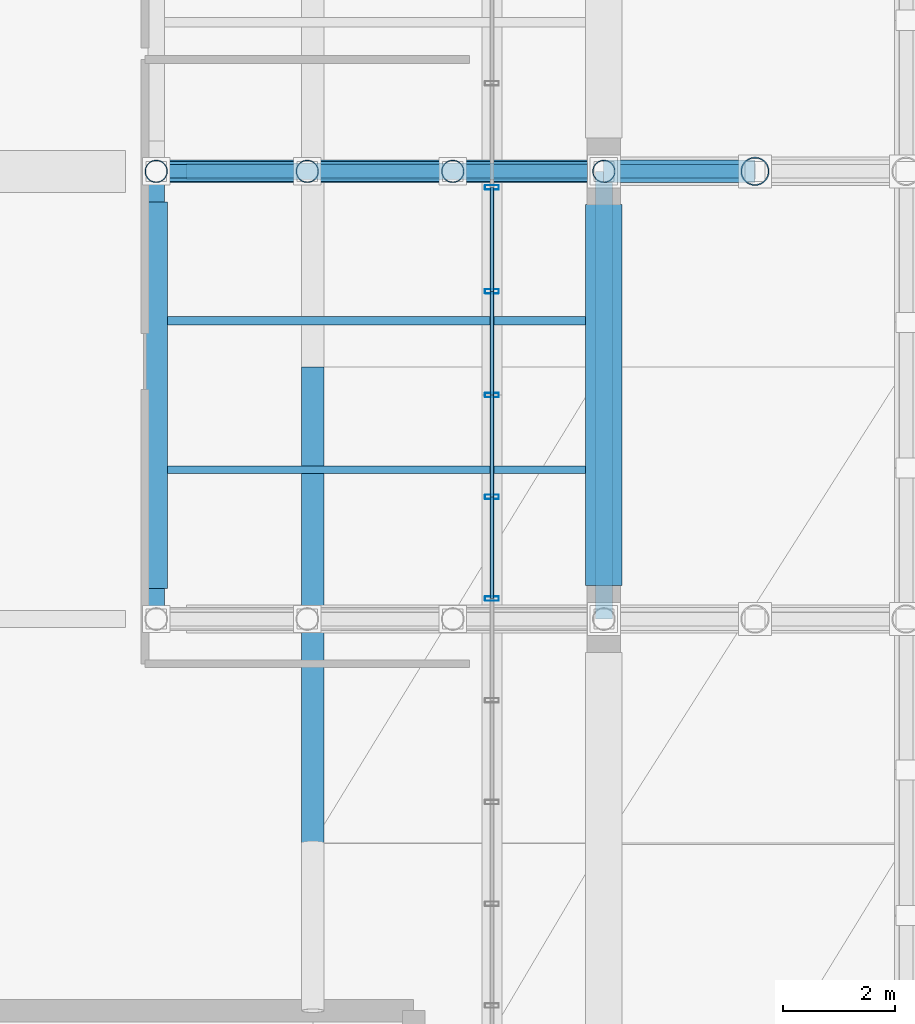
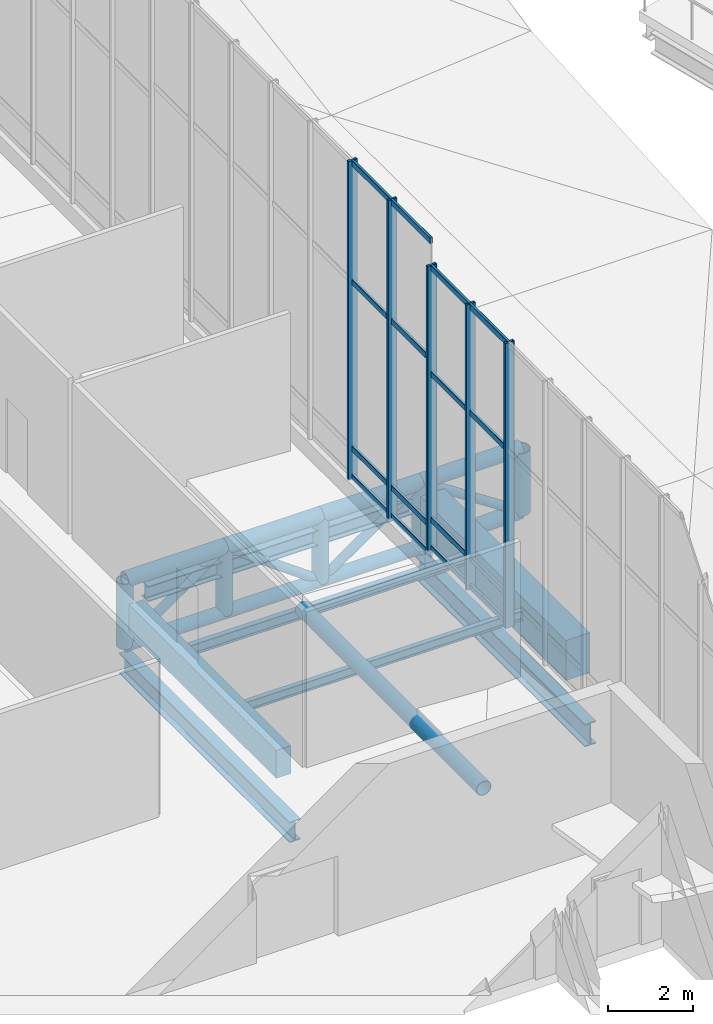
# One storey, part 66 of 137: 39 members, 7 beams, 2 elements without a shape of their own.
"""IFC4 building model written with IfcOpenShell, lengths in metres."""

from ifc_helpers import new_model, si_unit, direction, frame, origin, origin_2d, place, context, subcontext, project, spatial, rectangle, hollow_rectangle, hollow_circle, i_section, extrude, material, layer, layer_set, material_profile, profile_set, type_object, element, aggregate, save


model = new_model("IFC4")

# Units and contexts
model_context = context("Model", 3, precision=1e-05, world=origin(), true_north=direction((0.0, 1.0)))
body_context = subcontext(model_context, "Body", "Model", "MODEL_VIEW")
ifc_project = project(units=[si_unit("LENGTHUNIT", "METRE"), si_unit("AREAUNIT", "SQUARE_METRE"), si_unit("VOLUMEUNIT", "CUBIC_METRE"), si_unit("PLANEANGLEUNIT", "RADIAN"), si_unit("MASSUNIT", "GRAM", prefix="KILO")], contexts=[model_context])

# Site, building, storey
site_placement = place(None, origin())
site = spatial("IfcSite", under=ifc_project, at=site_placement, CompositionType="ELEMENT")
building_placement = place(site_placement, origin())
building = spatial("IfcBuilding", under=site, at=building_placement, Name="Khorjan Park Terminus", CompositionType="ELEMENT")
storey_placement = place(building_placement, frame((0.0, 0.0, 11.4)))
storey = spatial("IfcBuildingStorey", under=building, at=storey_placement, Name="L02", CompositionType="ELEMENT", Elevation=11.4)

# Beams
ifc_material_1 = material(Name="Steel S355", Category="steel")
ifc_material_profile_1 = material_profile(ifc_material_1, i_section(OverallWidth=0.3, OverallDepth=0.44, WebThickness=0.0115, FlangeThickness=0.021, FilletRadius=0.027, at=origin_2d()), Name="HEA 450")
ifc_profile_set_1 = profile_set([ifc_material_profile_1], Name="Steel S355")
beam_type_1 = type_object("IfcBeamType", Name="BM-HEA450", PredefinedType="BEAM", material=ifc_profile_set_1)
beam_1_placement = place(storey_placement, frame((128.545, 52.0, -0.58), z_axis=(1.0, 0.0, 0.0), x_axis=(0.0, 1.0, 0.0)))
element("IfcBeam", 1, at=beam_1_placement, inside=storey, type_object=beam_type_1, Name="Primary floor girder SB-A45 (L02)", PredefinedType="BEAM", context=body_context, shape_type="SweptSolid", body=[
    extrude(i_section(OverallWidth=0.3, OverallDepth=0.44, WebThickness=0.0115, FlangeThickness=0.021, FilletRadius=0.027, at=origin_2d()), origin(), (0.0, 0.0, 1.0), 7.16),
])
ifc_material_profile_2 = material_profile(ifc_material_1, i_section(OverallWidth=0.3, OverallDepth=0.59, WebThickness=0.013, FlangeThickness=0.025, FilletRadius=0.027, at=origin_2d()), Name="HEA 600")
ifc_profile_set_2 = profile_set([ifc_material_profile_2], Name="Steel S355")
beam_type_2 = type_object("IfcBeamType", Name="BM-HEA600", PredefinedType="BEAM", material=ifc_profile_set_2)
beam_2_placement = place(storey_placement, frame((128.0, 44.0, -2.395), z_axis=(0.0, 1.0, 0.0), x_axis=(-1.0, 0.0, 0.0)))
element("IfcBeam", 2, at=beam_2_placement, inside=storey, type_object=beam_type_2, Name="Lower shell truss support girder SB-A60 (Y49)", PredefinedType="BEAM", context=body_context, shape_type="SweptSolid", body=[
    extrude(i_section(OverallWidth=0.3, OverallDepth=0.59, WebThickness=0.013, FlangeThickness=0.025, FilletRadius=0.027, at=origin_2d()), origin(), (0.0, 0.0, 1.0), 8.0),
])
ifc_material_2 = material(Name="Concrete C40/50", Category="concrete")
ifc_material_profile_3 = material_profile(ifc_material_2, rectangle(XDim=0.4, YDim=0.8, at=origin_2d()), Name="RC 400x800")
ifc_profile_set_3 = profile_set([ifc_material_profile_3], Name="Concrete C40/50")
beam_type_3 = type_object("IfcBeamType", Name="BM-RC400x800", PredefinedType="BEAM", material=ifc_profile_set_3)
beam_3_placement = place(storey_placement, frame((128.0, 44.545, -0.76), z_axis=(0.0, 1.0, 0.0), x_axis=(-1.0, 0.0, 0.0)))
element("IfcBeam", 3, at=beam_3_placement, inside=storey, type_object=beam_type_3, Name="Primary floor girder GB-08B (L02)", PredefinedType="BEAM", context=body_context, shape_type="SweptSolid", body=[
    extrude(rectangle(XDim=0.4, YDim=0.8, at=origin_2d()), origin(), (0.0, 0.0, 1.0), 6.91),
])
ifc_material_profile_4 = material_profile(ifc_material_1, i_section(OverallWidth=0.135, OverallDepth=0.27, WebThickness=0.0066, FlangeThickness=0.0102, FilletRadius=0.015, at=origin_2d()), Name="IPE 270")
ifc_profile_set_4 = profile_set([ifc_material_profile_4], Name="Steel S355")
beam_type_4 = type_object("IfcBeamType", Name="JS-IPE270", PredefinedType="JOIST", material=ifc_profile_set_4)
beam_4_placement = place(storey_placement, frame((128.2, 46.6667, -0.495), z_axis=(1.0, 0.0, 0.0), x_axis=(0.0, 1.0, 0.0)))
element("IfcBeam", 4, at=beam_4_placement, inside=storey, type_object=beam_type_4, Name="Secondary composite floor joist SJ-27 (L02)", PredefinedType="JOIST", context=body_context, shape_type="SweptSolid", body=[
    extrude(i_section(OverallWidth=0.135, OverallDepth=0.27, WebThickness=0.0066, FlangeThickness=0.0102, FilletRadius=0.015, at=origin_2d()), origin(), (0.0, 0.0, 1.0), 7.475),
])
ifc_material_profile_5 = material_profile(ifc_material_1, i_section(OverallWidth=0.15, OverallDepth=0.3, WebThickness=0.0071, FlangeThickness=0.0107, FilletRadius=0.015, at=origin_2d()), Name="IPE 300")
ifc_profile_set_5 = profile_set([ifc_material_profile_5], Name="Steel S355")
beam_type_5 = type_object("IfcBeamType", Name="JS-IPE300", PredefinedType="JOIST", material=ifc_profile_set_5)
beam_5_placement = place(storey_placement, frame((128.2, 49.3333, -0.51), z_axis=(1.0, 0.0, 0.0), x_axis=(0.0, 1.0, 0.0)))
element("IfcBeam", 5, at=beam_5_placement, inside=storey, type_object=beam_type_5, Name="Secondary composite floor joist SJ-30 (L02)", PredefinedType="JOIST", context=body_context, shape_type="SweptSolid", body=[
    extrude(i_section(OverallWidth=0.15, OverallDepth=0.3, WebThickness=0.0071, FlangeThickness=0.0107, FilletRadius=0.015, at=origin_2d()), origin(), (0.0, 0.0, 1.0), 7.475),
])

# Members
ifc_material_profile_6 = material_profile(ifc_material_1, hollow_circle(Radius=0.1222, WallThickness=0.0125, at=origin_2d()), Name="CHS 244.5x12.5")
ifc_profile_set_6 = profile_set([ifc_material_profile_6], Name="Steel S355")
member_type_1 = type_object("IfcMemberType", Name="MB-BR-245", PredefinedType="BRACE", material=ifc_profile_set_6)
member_1_placement = place(storey_placement, frame((128.0, 52.0, -1.92), z_axis=(0.822082565391, 0.0, 0.569368295289), x_axis=(0.0, 1.0, 0.0)))
element("IfcMember", 6, at=member_1_placement, inside=storey, type_object=member_type_1, Name="Lower shell W/E truss diagonal (E2)", PredefinedType="BRACE", context=body_context, shape_type="SweptSolid", body=[
    extrude(hollow_circle(Radius=0.1222, WallThickness=0.0125, at=origin_2d()), origin(), (0.0, 0.0, 1.0), 3.2843),
])
member_2_placement = place(storey_placement, frame((130.7, 52.0, -0.05), z_axis=(0.811830357573, 0.0, -0.583893372562), x_axis=(0.0, 1.0, 0.0)))
element("IfcMember", 7, at=member_2_placement, inside=storey, type_object=member_type_1, Name="Lower shell W/E truss diagonal (E2)", PredefinedType="BRACE", context=body_context, shape_type="SweptSolid", body=[
    extrude(hollow_circle(Radius=0.1222, WallThickness=0.0125, at=origin_2d()), origin(), (0.0, 0.0, 1.0), 3.2026),
])
member_3_placement = place(storey_placement, frame((133.3, 52.0, -1.92), z_axis=(0.822082565391, 0.0, 0.569368295289), x_axis=(0.0, 1.0, 0.0)))
element("IfcMember", 8, at=member_3_placement, inside=storey, type_object=member_type_1, Name="Lower shell W/E truss diagonal (E2)", PredefinedType="BRACE", context=body_context, shape_type="SweptSolid", body=[
    extrude(hollow_circle(Radius=0.1222, WallThickness=0.0125, at=origin_2d()), origin(), (0.0, 0.0, 1.0), 3.2843),
])
ifc_material_profile_7 = material_profile(ifc_material_1, hollow_circle(Radius=0.1222, WallThickness=0.0125, at=origin_2d()), Name="CHS 244.5x12.5")
ifc_profile_set_7 = profile_set([ifc_material_profile_7], Name="Steel S355")
member_type_2 = type_object("IfcMemberType", Name="MB-BRE-245", PredefinedType="BRACE", material=ifc_profile_set_7)
member_4_placement = place(storey_placement, frame((136.0, 52.0, -0.05), z_axis=(0.83517779569, 0.0, -0.549980044717), x_axis=(0.0, 1.0, 0.0)))
element("IfcMember", 9, at=member_4_placement, inside=storey, type_object=member_type_2, Name="Lower shell W/E truss diagonal (E2)", PredefinedType="BRACE", context=body_context, shape_type="SweptSolid", body=[
    extrude(hollow_circle(Radius=0.1222, WallThickness=0.0125, at=origin_2d()), origin(), (0.0, 0.0, 1.0), 3.2328),
])
ifc_material_profile_8 = material_profile(ifc_material_1, hollow_circle(Radius=0.1778, WallThickness=0.016, at=origin_2d()), Name="CHS 355.6x16")
ifc_profile_set_8 = profile_set([ifc_material_profile_8], Name="Steel S355")
member_type_3 = type_object("IfcMemberType", Name="MB-CH-356", PredefinedType="CHORD", material=ifc_profile_set_8)
member_5_placement = place(storey_placement, frame((128.0, 52.0, -1.92), z_axis=(1.0, 0.0, 0.0), x_axis=(0.0, 1.0, 0.0)))
element("IfcMember", 10, at=member_5_placement, inside=storey, type_object=member_type_3, Name="Lower shell W/E truss bottom chord (E2)", PredefinedType="CHORD", context=body_context, shape_type="SweptSolid", body=[
    extrude(hollow_circle(Radius=0.1778, WallThickness=0.016, at=origin_2d()), origin(), (0.0, 0.0, 1.0), 2.7),
])
member_6_placement = place(storey_placement, frame((130.7, 52.0, -1.92), z_axis=(1.0, 0.0, 0.0), x_axis=(0.0, 1.0, 0.0)))
element("IfcMember", 11, at=member_6_placement, inside=storey, type_object=member_type_3, Name="Lower shell W/E truss bottom chord (E2)", PredefinedType="CHORD", context=body_context, shape_type="SweptSolid", body=[
    extrude(hollow_circle(Radius=0.1778, WallThickness=0.016, at=origin_2d()), origin(), (0.0, 0.0, 1.0), 2.6),
])
member_7_placement = place(storey_placement, frame((133.3, 52.0, -1.92), z_axis=(1.0, 0.0, 0.0), x_axis=(0.0, 1.0, 0.0)))
element("IfcMember", 12, at=member_7_placement, inside=storey, type_object=member_type_3, Name="Lower shell W/E truss bottom chord (E2)", PredefinedType="CHORD", context=body_context, shape_type="SweptSolid", body=[
    extrude(hollow_circle(Radius=0.1778, WallThickness=0.016, at=origin_2d()), origin(), (0.0, 0.0, 1.0), 2.7),
])
ifc_material_profile_9 = material_profile(ifc_material_1, hollow_circle(Radius=0.2032, WallThickness=0.016, at=origin_2d()), Name="CHS 406.4x16")
ifc_profile_set_9 = profile_set([ifc_material_profile_9], Name="Steel S355")
member_type_4 = type_object("IfcMemberType", Name="MB-CH-406", PredefinedType="CHORD", material=ifc_profile_set_9)
member_8_placement = place(storey_placement, frame((130.8, 40.0, 0.266), z_axis=(0.0, 1.0, 0.0), x_axis=(-1.0, 0.0, 0.0)))
element("IfcMember", 13, at=member_8_placement, inside=storey, type_object=member_type_4, Name="Lower wrapping shell rim chord (142)", PredefinedType="CHORD", context=body_context, shape_type="SweptSolid", body=[
    extrude(hollow_circle(Radius=0.2032, WallThickness=0.016, at=origin_2d()), origin(), (0.0, 0.0, 1.0), 8.5),
])
member_9_placement = place(storey_placement, frame((128.0, 52.0, -0.05), z_axis=(1.0, 0.0, 0.0), x_axis=(0.0, 1.0, 0.0)))
element("IfcMember", 14, at=member_9_placement, inside=storey, type_object=member_type_4, Name="Lower shell W/E truss top chord (E2)", PredefinedType="CHORD", context=body_context, shape_type="SweptSolid", body=[
    extrude(hollow_circle(Radius=0.2032, WallThickness=0.016, at=origin_2d()), origin(), (0.0, 0.0, 1.0), 2.7),
])
member_10_placement = place(storey_placement, frame((130.7, 52.0, -0.05), z_axis=(1.0, 0.0, 0.0), x_axis=(0.0, 1.0, 0.0)))
element("IfcMember", 15, at=member_10_placement, inside=storey, type_object=member_type_4, Name="Lower shell W/E truss top chord (E2)", PredefinedType="CHORD", context=body_context, shape_type="SweptSolid", body=[
    extrude(hollow_circle(Radius=0.2032, WallThickness=0.016, at=origin_2d()), origin(), (0.0, 0.0, 1.0), 2.6),
])
member_11_placement = place(storey_placement, frame((133.3, 52.0, -0.05), z_axis=(1.0, 0.0, 0.0), x_axis=(0.0, 1.0, 0.0)))
element("IfcMember", 16, at=member_11_placement, inside=storey, type_object=member_type_4, Name="Lower shell W/E truss top chord (E2)", PredefinedType="CHORD", context=body_context, shape_type="SweptSolid", body=[
    extrude(hollow_circle(Radius=0.2032, WallThickness=0.016, at=origin_2d()), origin(), (0.0, 0.0, 1.0), 2.7),
])
ifc_material_profile_10 = material_profile(ifc_material_1, hollow_circle(Radius=0.2032, WallThickness=0.016, at=origin_2d()), Name="CHS 406.4x16")
ifc_profile_set_10 = profile_set([ifc_material_profile_10], Name="Steel S355")
member_type_5 = type_object("IfcMemberType", Name="MB-CHE-406", PredefinedType="CHORD", material=ifc_profile_set_10)
member_12_placement = place(storey_placement, frame((136.0, 52.0, -0.05), z_axis=(0.999966805494, 0.0, 0.008147877674), x_axis=(0.0, 1.0, 0.0)))
element("IfcMember", 17, at=member_12_placement, inside=storey, type_object=member_type_5, Name="Lower shell W/E truss top chord (E2)", PredefinedType="CHORD", context=body_context, shape_type="SweptSolid", body=[
    extrude(hollow_circle(Radius=0.2032, WallThickness=0.016, at=origin_2d()), origin(), (0.0, 0.0, 1.0), 2.7001),
])
member_13_placement = place(storey_placement, frame((136.0, 52.0, -1.92), z_axis=(0.999419983757, 0.0, 0.034054310558), x_axis=(0.0, 1.0, 0.0)))
element("IfcMember", 18, at=member_13_placement, inside=storey, type_object=member_type_5, Name="Lower shell W/E truss bottom chord (E2)", PredefinedType="CHORD", context=body_context, shape_type="SweptSolid", body=[
    extrude(hollow_circle(Radius=0.2032, WallThickness=0.016, at=origin_2d()), origin(), (0.0, 0.0, 1.0), 2.7016),
])
ifc_material_profile_11 = material_profile(ifc_material_1, hollow_circle(Radius=0.2032, WallThickness=0.016, at=origin_2d()), Name="CHS 406.4x16")
ifc_profile_set_11 = profile_set([ifc_material_profile_11], Name="Steel S355")
member_type_6 = type_object("IfcMemberType", Name="MB-ST-406", PredefinedType="STRUT", material=ifc_profile_set_11)
for number, where, z_axis, x_axis, name in (
    (19, (128.0, 52.0, -1.92), (0.0, 0.0, 1.0), (1.0, 0.0, 0.0), "Lower shell W/E truss post (E2)"),
    (20, (130.7, 52.0, -1.92), (0.0, 0.0, 1.0), (1.0, 0.0, 0.0), "Lower shell W/E truss post (E2)"),
    (21, (133.3, 52.0, -1.92), (0.0, 0.0, 1.0), (1.0, 0.0, 0.0), "Lower shell W/E truss post (E2)"),
    (22, (136.0, 52.0, -1.92), (0.0, 0.0, 1.0), (1.0, 0.0, 0.0), "Lower shell W/E truss post (E2)"),
):
    element("IfcMember", number, at=place(storey_placement, frame(where, z_axis=z_axis, x_axis=x_axis)), inside=storey, type_object=member_type_6, Name=name, PredefinedType="STRUT", context=body_context, shape_type="SweptSolid", body=[
        extrude(hollow_circle(Radius=0.2032, WallThickness=0.016, at=origin_2d()), origin(), (0.0, 0.0, 1.0), 1.87),
    ])
ifc_material_profile_12 = material_profile(ifc_material_1, hollow_circle(Radius=0.254, WallThickness=0.02, at=origin_2d()), Name="CHS 508x20")
ifc_profile_set_12 = profile_set([ifc_material_profile_12], Name="Steel S355")
member_type_7 = type_object("IfcMemberType", Name="MB-STE-508", PredefinedType="STRUT", material=ifc_profile_set_12)
member_14_placement = place(storey_placement, frame((138.7, 52.0, -1.828), z_axis=(0.0, 0.0, 1.0), x_axis=(1.0, 0.0, 0.0)))
element("IfcMember", 23, at=member_14_placement, inside=storey, type_object=member_type_7, Name="Lower shell W/E truss post (E2)", PredefinedType="STRUT", context=body_context, shape_type="SweptSolid", body=[
    extrude(hollow_circle(Radius=0.254, WallThickness=0.02, at=origin_2d()), origin(), (0.0, 0.0, 1.0), 1.8),
])

# Curtain wall, members
ifc_material_3 = material(Name="Anodized Bronze Aluminium", Category="aluminium")
ifc_layer = layer(ifc_material_3, 0.22)
ifc_layer_set = layer_set([ifc_layer], Name="Anodized Bronze Aluminium")
curtain_wall_type = type_object("IfcCurtainWallType", Name="CW-CONC-CLR", PredefinedType="NOTDEFINED", material=ifc_layer_set)
curtain_wall_1_placement = place(storey_placement, origin())
curtain_wall_1 = element("IfcCurtainWall", 24, at=curtain_wall_1_placement, inside=storey, type_object=curtain_wall_type, Name="Unitized curtain wall CW-CL (CW-V2-E-CLR-01)", PredefinedType="NOTDEFINED")
ifc_material_profile_13 = material_profile(ifc_material_3, hollow_rectangle(XDim=0.08, YDim=0.25, WallThickness=0.005, InnerFilletRadius=0.005, OuterFilletRadius=0.01, at=origin_2d()), Name="ALM 80x250x5")
ifc_profile_set_13 = profile_set([ifc_material_profile_13], Name="Anodized Bronze Aluminium")
member_type_8 = type_object("IfcMemberType", Name="ML-ALM-250", PredefinedType="MULLION", material=ifc_profile_set_13)
member_15_placement = place(storey_placement, frame((134.0, 44.3636, 1.1271), z_axis=(0.0, 0.0, 1.0), x_axis=(0.0, 1.0, 0.0)))
member_15 = element("IfcMember", 25, at=member_15_placement, type_object=member_type_8, Name="Curtain-wall mullion ML-25 (CW-V2-E-CLR-01-9)", PredefinedType="MULLION", context=body_context, shape_type="SweptSolid", body=[
    extrude(hollow_rectangle(XDim=0.08, YDim=0.25, WallThickness=0.005, InnerFilletRadius=0.005, OuterFilletRadius=0.01, at=origin_2d()), origin(), (0.0, 0.0, 1.0), 8.1673),
])
member_16_placement = place(storey_placement, frame((134.0, 46.1818, 1.1271), z_axis=(0.0, 0.0, 1.0), x_axis=(0.0, 1.0, 0.0)))
member_16 = element("IfcMember", 26, at=member_16_placement, type_object=member_type_8, Name="Curtain-wall mullion ML-25 (CW-V2-E-CLR-01-10)", PredefinedType="MULLION", context=body_context, shape_type="SweptSolid", body=[
    extrude(hollow_rectangle(XDim=0.08, YDim=0.25, WallThickness=0.005, InnerFilletRadius=0.005, OuterFilletRadius=0.01, at=origin_2d()), origin(), (0.0, 0.0, 1.0), 8.1673),
])
member_17_placement = place(storey_placement, frame((134.0, 48.0, 1.1271), z_axis=(0.0, 0.0, 1.0), x_axis=(0.0, 1.0, 0.0)))
member_17 = element("IfcMember", 27, at=member_17_placement, type_object=member_type_8, Name="Curtain-wall mullion ML-25 (CW-V2-E-CLR-01-11)", PredefinedType="MULLION", context=body_context, shape_type="SweptSolid", body=[
    extrude(hollow_rectangle(XDim=0.08, YDim=0.25, WallThickness=0.005, InnerFilletRadius=0.005, OuterFilletRadius=0.01, at=origin_2d()), origin(), (0.0, 0.0, 1.0), 8.1673),
])

curtain_wall_2_placement = place(storey_placement, origin())
curtain_wall_2 = element("IfcCurtainWall", 28, at=curtain_wall_2_placement, inside=storey, type_object=curtain_wall_type, Name="Unitized curtain wall CW-CL (CW-V2-E-CLR-02)", PredefinedType="NOTDEFINED")
member_18_placement = place(storey_placement, frame((134.0, 49.8571, 0.915), z_axis=(0.0, 0.0, 1.0), x_axis=(0.0, 1.0, 0.0)))
member_18 = element("IfcMember", 29, at=member_18_placement, type_object=member_type_8, Name="Curtain-wall mullion ML-25 (CW-V2-E-CLR-02-1)", PredefinedType="MULLION", context=body_context, shape_type="SweptSolid", body=[
    extrude(hollow_rectangle(XDim=0.08, YDim=0.25, WallThickness=0.005, InnerFilletRadius=0.005, OuterFilletRadius=0.01, at=origin_2d()), origin(), (0.0, 0.0, 1.0), 9.1348),
])
member_19_placement = place(storey_placement, frame((134.0, 51.7143, 0.915), z_axis=(0.0, 0.0, 1.0), x_axis=(0.0, 1.0, 0.0)))
member_19 = element("IfcMember", 30, at=member_19_placement, type_object=member_type_8, Name="Curtain-wall mullion ML-25 (CW-V2-E-CLR-02-2)", PredefinedType="MULLION", context=body_context, shape_type="SweptSolid", body=[
    extrude(hollow_rectangle(XDim=0.08, YDim=0.25, WallThickness=0.005, InnerFilletRadius=0.005, OuterFilletRadius=0.01, at=origin_2d()), origin(), (0.0, 0.0, 1.0), 9.1348),
])

# Beams
ifc_material_profile_14 = material_profile(ifc_material_1, i_section(OverallWidth=0.3, OverallDepth=0.65, WebThickness=0.016, FlangeThickness=0.031, FilletRadius=0.027, at=origin_2d()), Name="HEB 650")
ifc_profile_set_14 = profile_set([ifc_material_profile_14], Name="Steel S355")
beam_type_6 = type_object("IfcBeamType", Name="SP-HEB650E", PredefinedType="SPANDREL", material=ifc_profile_set_14)
beam_6_placement = place(storey_placement, frame((136.0, 44.0, -2.425), z_axis=(0.0, 1.0, 0.0), x_axis=(-1.0, 0.0, 0.0)))
element("IfcBeam", 31, at=beam_6_placement, inside=storey, type_object=beam_type_6, Name="Lower shell truss support girder SP-E65 (Y41)", PredefinedType="SPANDREL", context=body_context, shape_type="SweptSolid", body=[
    extrude(i_section(OverallWidth=0.3, OverallDepth=0.65, WebThickness=0.016, FlangeThickness=0.031, FilletRadius=0.027, at=origin_2d()), origin(), (0.0, 0.0, 1.0), 8.0),
])
ifc_material_4 = material(Name="Concrete C50/60", Category="concrete")
ifc_material_profile_15 = material_profile(ifc_material_4, rectangle(XDim=0.65, YDim=1.15, at=origin_2d()), Name="RC 650x1150")
ifc_profile_set_15 = profile_set([ifc_material_profile_15], Name="Concrete C50/60")
beam_type_7 = type_object("IfcBeamType", Name="SP-RC650x1150", PredefinedType="SPANDREL", material=ifc_profile_set_15)
beam_7_placement = place(storey_placement, frame((136.0, 44.595, -0.575), z_axis=(0.0, 1.0, 0.0), x_axis=(-1.0, 0.0, 0.0)))
element("IfcBeam", 32, at=beam_7_placement, inside=storey, type_object=beam_type_7, Name="Concourse lower colonnade ring beam SP-11 (L02-64)", PredefinedType="SPANDREL", context=body_context, shape_type="SweptSolid", body=[
    extrude(rectangle(XDim=0.65, YDim=1.15, at=origin_2d()), origin(), (0.0, 0.0, 1.0), 6.81),
])

# Member
ifc_material_profile_16 = material_profile(ifc_material_3, hollow_rectangle(XDim=0.07, YDim=0.16, WallThickness=0.004, InnerFilletRadius=0.004, OuterFilletRadius=0.008, at=origin_2d()), Name="ALT 70x160x4")
ifc_profile_set_16 = profile_set([ifc_material_profile_16], Name="Anodized Bronze Aluminium")
member_type_9 = type_object("IfcMemberType", Name="TR-ALT-160", PredefinedType="USERDEFINED", material=ifc_profile_set_16)
member_20_placement = place(storey_placement, frame((134.0, 44.3636, 1.2021), z_axis=(0.0, 1.0, 0.0), x_axis=(-1.0, 0.0, 0.0)))
member_20 = element("IfcMember", 33, at=member_20_placement, type_object=member_type_9, Name="Curtain-wall transom TR-16 (CW-V2-E-CLR-01-9-1)", ObjectType="TRANSOM", PredefinedType="USERDEFINED", context=body_context, shape_type="SweptSolid", body=[
    extrude(hollow_rectangle(XDim=0.07, YDim=0.16, WallThickness=0.004, InnerFilletRadius=0.004, OuterFilletRadius=0.008, at=origin_2d()), origin(), (0.0, 0.0, 1.0), 1.8182),
])

member_21_placement = place(storey_placement, frame((134.0, 44.3636, 2.0121), z_axis=(0.0, 1.0, 0.0), x_axis=(-1.0, 0.0, 0.0)))
member_21 = element("IfcMember", 34, at=member_21_placement, type_object=member_type_9, Name="Curtain-wall transom TR-16 (CW-V2-E-CLR-01-9-2)", ObjectType="TRANSOM", PredefinedType="USERDEFINED", context=body_context, shape_type="SweptSolid", body=[
    extrude(hollow_rectangle(XDim=0.07, YDim=0.16, WallThickness=0.004, InnerFilletRadius=0.004, OuterFilletRadius=0.008, at=origin_2d()), origin(), (0.0, 0.0, 1.0), 1.8182),
])

member_22_placement = place(storey_placement, frame((134.0, 44.3636, 6.1824), z_axis=(0.0, 1.0, 0.0), x_axis=(-1.0, 0.0, 0.0)))
member_22 = element("IfcMember", 35, at=member_22_placement, type_object=member_type_9, Name="Curtain-wall transom TR-16 (CW-V2-E-CLR-01-9-3)", ObjectType="TRANSOM", PredefinedType="USERDEFINED", context=body_context, shape_type="SweptSolid", body=[
    extrude(hollow_rectangle(XDim=0.07, YDim=0.16, WallThickness=0.004, InnerFilletRadius=0.004, OuterFilletRadius=0.008, at=origin_2d()), origin(), (0.0, 0.0, 1.0), 1.8182),
])

member_23_placement = place(storey_placement, frame((134.0, 44.3636, 9.2194), z_axis=(0.0, 1.0, 0.0), x_axis=(-1.0, 0.0, 0.0)))
member_23 = element("IfcMember", 36, at=member_23_placement, type_object=member_type_9, Name="Curtain-wall transom TR-16 (CW-V2-E-CLR-01-9-4)", ObjectType="TRANSOM", PredefinedType="USERDEFINED", context=body_context, shape_type="SweptSolid", body=[
    extrude(hollow_rectangle(XDim=0.07, YDim=0.16, WallThickness=0.004, InnerFilletRadius=0.004, OuterFilletRadius=0.008, at=origin_2d()), origin(), (0.0, 0.0, 1.0), 1.8182),
])

member_24_placement = place(storey_placement, frame((134.0, 46.1818, 1.2021), z_axis=(0.0, 1.0, 0.0), x_axis=(-1.0, 0.0, 0.0)))
member_24 = element("IfcMember", 37, at=member_24_placement, type_object=member_type_9, Name="Curtain-wall transom TR-16 (CW-V2-E-CLR-01-10-1)", ObjectType="TRANSOM", PredefinedType="USERDEFINED", context=body_context, shape_type="SweptSolid", body=[
    extrude(hollow_rectangle(XDim=0.07, YDim=0.16, WallThickness=0.004, InnerFilletRadius=0.004, OuterFilletRadius=0.008, at=origin_2d()), origin(), (0.0, 0.0, 1.0), 1.8182),
])

member_25_placement = place(storey_placement, frame((134.0, 46.1818, 2.0121), z_axis=(0.0, 1.0, 0.0), x_axis=(-1.0, 0.0, 0.0)))
member_25 = element("IfcMember", 38, at=member_25_placement, type_object=member_type_9, Name="Curtain-wall transom TR-16 (CW-V2-E-CLR-01-10-2)", ObjectType="TRANSOM", PredefinedType="USERDEFINED", context=body_context, shape_type="SweptSolid", body=[
    extrude(hollow_rectangle(XDim=0.07, YDim=0.16, WallThickness=0.004, InnerFilletRadius=0.004, OuterFilletRadius=0.008, at=origin_2d()), origin(), (0.0, 0.0, 1.0), 1.8182),
])

member_26_placement = place(storey_placement, frame((134.0, 46.1818, 6.1824), z_axis=(0.0, 1.0, 0.0), x_axis=(-1.0, 0.0, 0.0)))
member_26 = element("IfcMember", 39, at=member_26_placement, type_object=member_type_9, Name="Curtain-wall transom TR-16 (CW-V2-E-CLR-01-10-3)", ObjectType="TRANSOM", PredefinedType="USERDEFINED", context=body_context, shape_type="SweptSolid", body=[
    extrude(hollow_rectangle(XDim=0.07, YDim=0.16, WallThickness=0.004, InnerFilletRadius=0.004, OuterFilletRadius=0.008, at=origin_2d()), origin(), (0.0, 0.0, 1.0), 1.8182),
])

member_27_placement = place(storey_placement, frame((134.0, 46.1818, 9.2194), z_axis=(0.0, 1.0, 0.0), x_axis=(-1.0, 0.0, 0.0)))
member_27 = element("IfcMember", 40, at=member_27_placement, type_object=member_type_9, Name="Curtain-wall transom TR-16 (CW-V2-E-CLR-01-10-4)", ObjectType="TRANSOM", PredefinedType="USERDEFINED", context=body_context, shape_type="SweptSolid", body=[
    extrude(hollow_rectangle(XDim=0.07, YDim=0.16, WallThickness=0.004, InnerFilletRadius=0.004, OuterFilletRadius=0.008, at=origin_2d()), origin(), (0.0, 0.0, 1.0), 1.8182),
])

aggregate(curtain_wall_1, [member_15, member_16, member_17, member_20, member_21, member_22, member_23, member_24, member_25, member_26, member_27])

member_28_placement = place(storey_placement, frame((134.0, 48.0, 0.99), z_axis=(0.0, 1.0, 0.0), x_axis=(-1.0, 0.0, 0.0)))
member_28 = element("IfcMember", 41, at=member_28_placement, type_object=member_type_9, Name="Curtain-wall transom TR-16 (CW-V2-E-CLR-02-0-1)", ObjectType="TRANSOM", PredefinedType="USERDEFINED", context=body_context, shape_type="SweptSolid", body=[
    extrude(hollow_rectangle(XDim=0.07, YDim=0.16, WallThickness=0.004, InnerFilletRadius=0.004, OuterFilletRadius=0.008, at=origin_2d()), origin(), (0.0, 0.0, 1.0), 1.8571),
])

member_29_placement = place(storey_placement, frame((134.0, 48.0, 1.8), z_axis=(0.0, 1.0, 0.0), x_axis=(-1.0, 0.0, 0.0)))
member_29 = element("IfcMember", 42, at=member_29_placement, type_object=member_type_9, Name="Curtain-wall transom TR-16 (CW-V2-E-CLR-02-0-2)", ObjectType="TRANSOM", PredefinedType="USERDEFINED", context=body_context, shape_type="SweptSolid", body=[
    extrude(hollow_rectangle(XDim=0.07, YDim=0.16, WallThickness=0.004, InnerFilletRadius=0.004, OuterFilletRadius=0.008, at=origin_2d()), origin(), (0.0, 0.0, 1.0), 1.8571),
])

member_30_placement = place(storey_placement, frame((134.0, 48.0, 6.5702), z_axis=(0.0, 1.0, 0.0), x_axis=(-1.0, 0.0, 0.0)))
member_30 = element("IfcMember", 43, at=member_30_placement, type_object=member_type_9, Name="Curtain-wall transom TR-16 (CW-V2-E-CLR-02-0-3)", ObjectType="TRANSOM", PredefinedType="USERDEFINED", context=body_context, shape_type="SweptSolid", body=[
    extrude(hollow_rectangle(XDim=0.07, YDim=0.16, WallThickness=0.004, InnerFilletRadius=0.004, OuterFilletRadius=0.008, at=origin_2d()), origin(), (0.0, 0.0, 1.0), 1.8571),
])

member_31_placement = place(storey_placement, frame((134.0, 48.0, 9.9748), z_axis=(0.0, 1.0, 0.0), x_axis=(-1.0, 0.0, 0.0)))
member_31 = element("IfcMember", 44, at=member_31_placement, type_object=member_type_9, Name="Curtain-wall transom TR-16 (CW-V2-E-CLR-02-0-4)", ObjectType="TRANSOM", PredefinedType="USERDEFINED", context=body_context, shape_type="SweptSolid", body=[
    extrude(hollow_rectangle(XDim=0.07, YDim=0.16, WallThickness=0.004, InnerFilletRadius=0.004, OuterFilletRadius=0.008, at=origin_2d()), origin(), (0.0, 0.0, 1.0), 1.8571),
])

member_32_placement = place(storey_placement, frame((134.0, 49.8571, 0.99), z_axis=(0.0, 1.0, 0.0), x_axis=(-1.0, 0.0, 0.0)))
member_32 = element("IfcMember", 45, at=member_32_placement, type_object=member_type_9, Name="Curtain-wall transom TR-16 (CW-V2-E-CLR-02-1-1)", ObjectType="TRANSOM", PredefinedType="USERDEFINED", context=body_context, shape_type="SweptSolid", body=[
    extrude(hollow_rectangle(XDim=0.07, YDim=0.16, WallThickness=0.004, InnerFilletRadius=0.004, OuterFilletRadius=0.008, at=origin_2d()), origin(), (0.0, 0.0, 1.0), 1.8572),
])

member_33_placement = place(storey_placement, frame((134.0, 49.8571, 1.8), z_axis=(0.0, 1.0, 0.0), x_axis=(-1.0, 0.0, 0.0)))
member_33 = element("IfcMember", 46, at=member_33_placement, type_object=member_type_9, Name="Curtain-wall transom TR-16 (CW-V2-E-CLR-02-1-2)", ObjectType="TRANSOM", PredefinedType="USERDEFINED", context=body_context, shape_type="SweptSolid", body=[
    extrude(hollow_rectangle(XDim=0.07, YDim=0.16, WallThickness=0.004, InnerFilletRadius=0.004, OuterFilletRadius=0.008, at=origin_2d()), origin(), (0.0, 0.0, 1.0), 1.8572),
])

member_34_placement = place(storey_placement, frame((134.0, 49.8571, 6.5702), z_axis=(0.0, 1.0, 0.0), x_axis=(-1.0, 0.0, 0.0)))
member_34 = element("IfcMember", 47, at=member_34_placement, type_object=member_type_9, Name="Curtain-wall transom TR-16 (CW-V2-E-CLR-02-1-3)", ObjectType="TRANSOM", PredefinedType="USERDEFINED", context=body_context, shape_type="SweptSolid", body=[
    extrude(hollow_rectangle(XDim=0.07, YDim=0.16, WallThickness=0.004, InnerFilletRadius=0.004, OuterFilletRadius=0.008, at=origin_2d()), origin(), (0.0, 0.0, 1.0), 1.8572),
])

member_35_placement = place(storey_placement, frame((134.0, 49.8571, 9.9748), z_axis=(0.0, 1.0, 0.0), x_axis=(-1.0, 0.0, 0.0)))
member_35 = element("IfcMember", 48, at=member_35_placement, type_object=member_type_9, Name="Curtain-wall transom TR-16 (CW-V2-E-CLR-02-1-4)", ObjectType="TRANSOM", PredefinedType="USERDEFINED", context=body_context, shape_type="SweptSolid", body=[
    extrude(hollow_rectangle(XDim=0.07, YDim=0.16, WallThickness=0.004, InnerFilletRadius=0.004, OuterFilletRadius=0.008, at=origin_2d()), origin(), (0.0, 0.0, 1.0), 1.8572),
])

aggregate(curtain_wall_2, [member_18, member_19, member_28, member_29, member_30, member_31, member_32, member_33, member_34, member_35])

save(model, "model.ifc")
